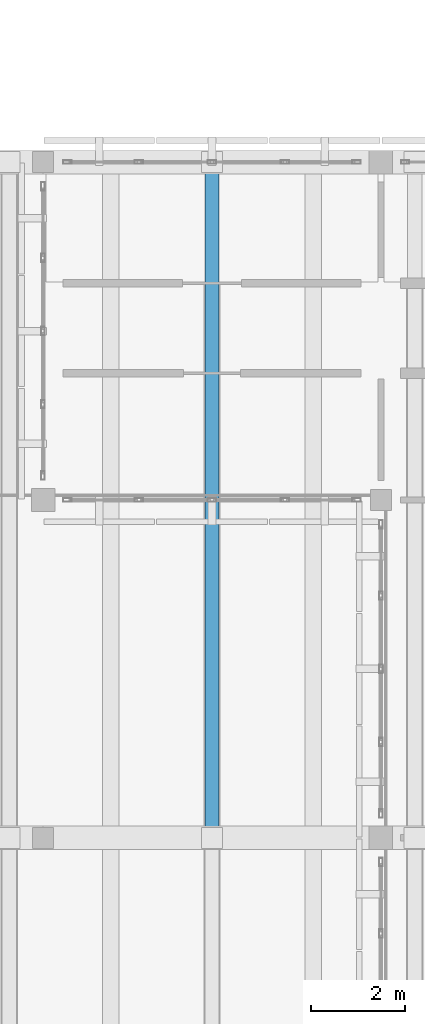
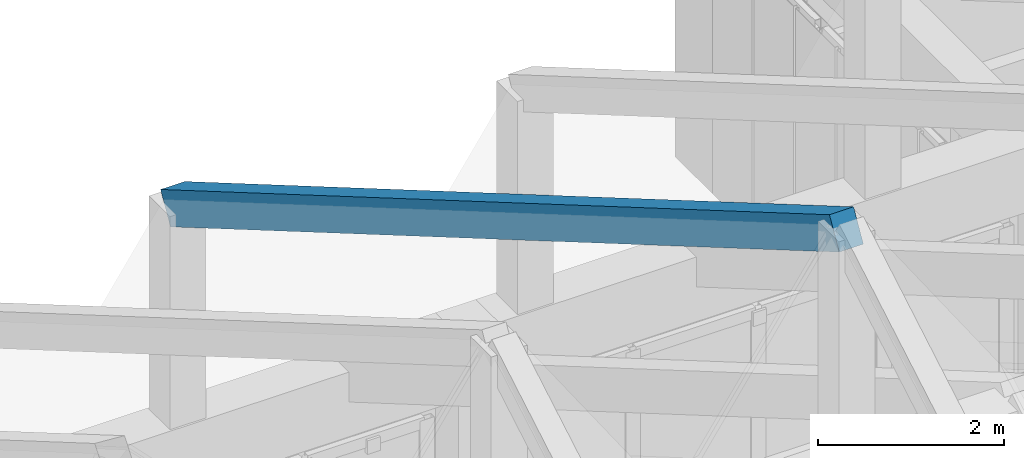
# One storey, part 48 of 171: 1 beam.
"""IFC4 building model written with IfcOpenShell, lengths in metres."""

from ifc_helpers import new_model, si_unit, direction, frame, origin, origin_2d, place, context, subcontext, project, spatial, rectangle, extrude, material, material_profile, profile_set, type_object, element, save


model = new_model("IFC4")

# Units and contexts
model_context = context("Model", 3, precision=1e-05, world=origin(), true_north=direction((0.0, 1.0)))
body_context = subcontext(model_context, "Body", "Model", "MODEL_VIEW")
ifc_project = project(units=[si_unit("LENGTHUNIT", "METRE"), si_unit("AREAUNIT", "SQUARE_METRE"), si_unit("VOLUMEUNIT", "CUBIC_METRE"), si_unit("PLANEANGLEUNIT", "RADIAN"), si_unit("MASSUNIT", "GRAM", prefix="KILO")], contexts=[model_context])

# Site, building, storey
site_placement = place(None, origin())
site = spatial("IfcSite", under=ifc_project, at=site_placement, CompositionType="ELEMENT")
building_placement = place(site_placement, origin())
building = spatial("IfcBuilding", under=site, at=building_placement, Name="Aldebral Square Health Centre", CompositionType="ELEMENT")
storey_placement = place(building_placement, frame((0.0, 0.0, 4.5)))
storey = spatial("IfcBuildingStorey", under=building, at=storey_placement, Name="L01", CompositionType="ELEMENT", Elevation=4.5)

# Beam
ifc_material = material(Name="Concrete C40/50", Category="concrete")
ifc_material_profile = material_profile(ifc_material, rectangle(XDim=0.300048828125, YDim=0.419921875, at=origin_2d()), Name="RC 300x420")
ifc_profile_set = profile_set([ifc_material_profile], Name="Concrete C40/50")
beam_type = type_object("IfcBeamType", Name="BM-FP2", PredefinedType="BEAM", material=ifc_profile_set)
beam_placement = place(storey_placement, frame((97.199951171875, 86.39990234375, 15.64990234375), z_axis=(0.0, 0.863783681228, -0.503862830584), x_axis=(-1.0, 0.0, 0.0)))
element("IfcBeam", 1, at=beam_placement, inside=storey, type_object=beam_type, Name="Folded-plate north ridge rib 8", PredefinedType="BEAM", context=body_context, shape_type="SweptSolid", body=[
    extrude(rectangle(XDim=0.300048828125, YDim=0.419921875, at=origin_2d()), origin(), (0.0, 0.0, 1.0), 16.6708984375),
])

save(model, "model.ifc")
